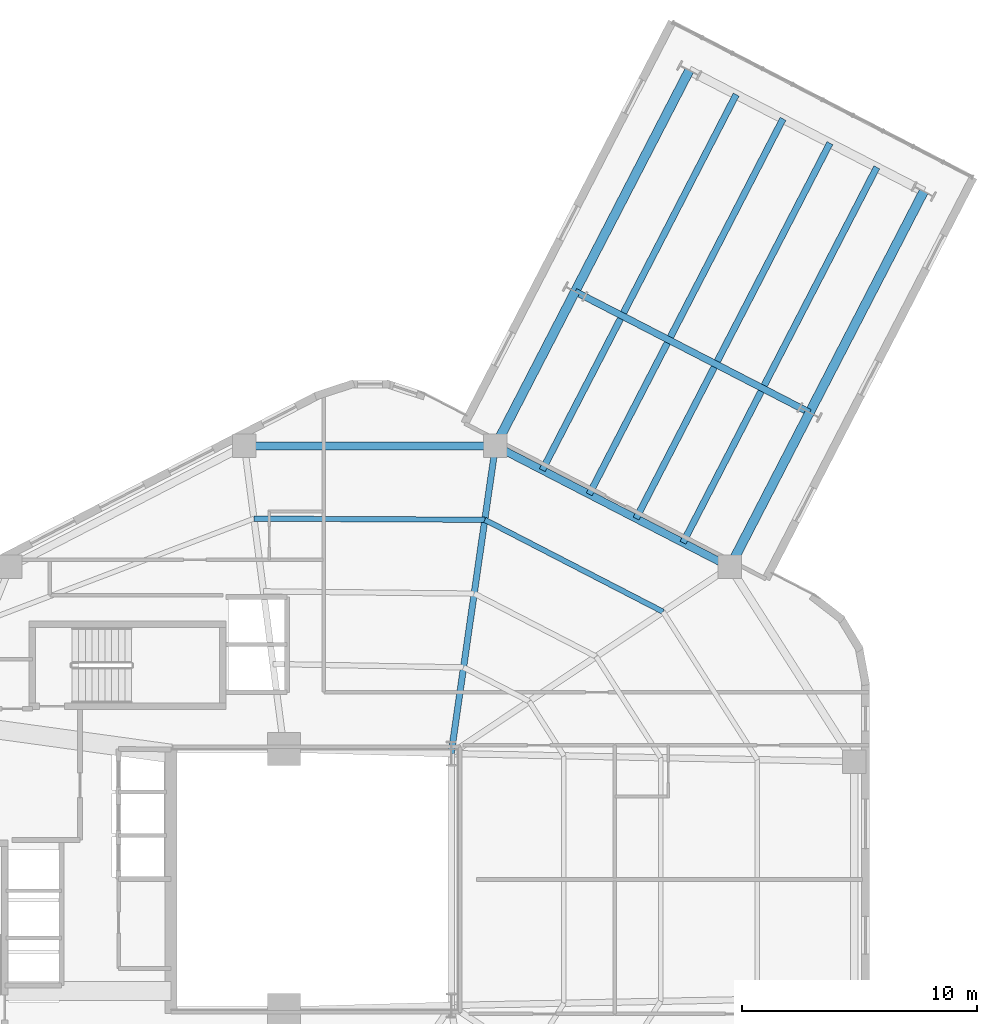
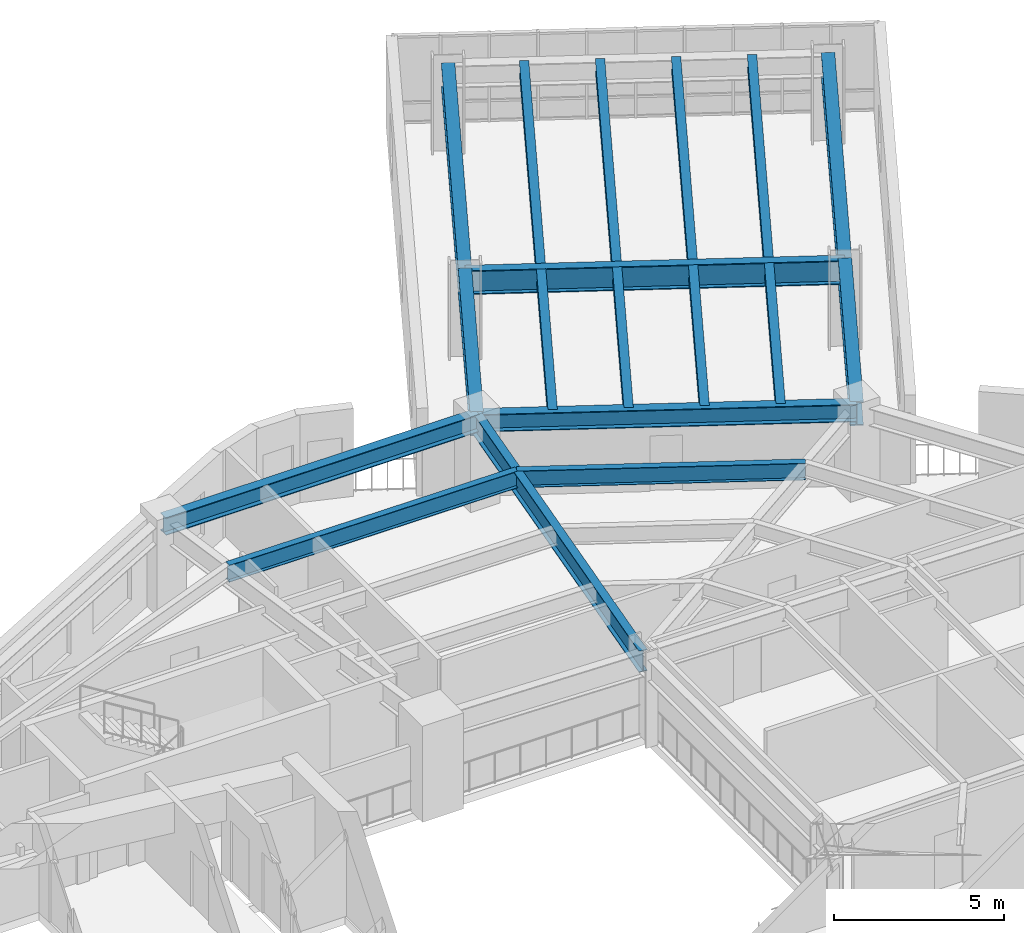
# One storey, part 2 of 10: 18 beams.
"""IFC4 building model written with IfcOpenShell, lengths in metres."""

import ifcopenshell
import ifcopenshell.guid

model = None  # the IFC model being written
_history = None  # IfcOwnerHistory: only IFC2X3 demands one
_inside = {}  # id of a spatial element -> (the spatial element, [elements in it])
_under = {}  # id of a project, library or spatial element -> (it, [spatial elements below it])
_declared = {}  # id of a project -> (the project, [libraries it declares])
_typed = {}  # id of a type object -> (the type object, [elements of that type])
_made_of = {}  # id of a material, layer set ... -> (it, [elements and type objects made of it])


def new_model(schema):
    """Start an empty IFC model of exactly this schema.

    Asked for "IFC4X3", IfcOpenShell would pick the latest addendum, in which some entities
    have other attributes; the version numbers below select the first issue.
    IFC2X3 requires an IfcOwnerHistory on every rooted entity: one is made here for all.
    """
    global model, _history
    if schema == "IFC4X3":
        model = ifcopenshell.file(schema_version=(4, 3, 0, 0))
    else:
        model = ifcopenshell.file(schema=schema)
    _inside.clear()
    _under.clear()
    _declared.clear()
    _typed.clear()
    _made_of.clear()
    _history = None
    if model.schema == "IFC2X3":
        org = make("IfcOrganization", Name="unknown")
        user = make(
            "IfcPersonAndOrganization",
            ThePerson=make("IfcPerson", FamilyName="unknown"),
            TheOrganization=org,
        )
        app = make(
            "IfcApplication",
            ApplicationDeveloper=org,
            Version="unknown",
            ApplicationFullName="unknown",
            ApplicationIdentifier="unknown",
        )
        _history = make(
            "IfcOwnerHistory",
            OwningUser=user,
            OwningApplication=app,
            ChangeAction="ADDED",
            CreationDate=0,
        )
    return model


def make(cls, **values):
    """One entity of the class cls with the attributes given. An attribute that is None is left unset."""
    return model.create_entity(
        cls, **{name: value for name, value in values.items() if value is not None}
    )


def rooted(cls, **values):
    """An entity with a GlobalId (a new one), such as an element, a storey or a relation."""
    return make(cls, GlobalId=ifcopenshell.guid.new(), OwnerHistory=_history, **values)


def si_unit(unit_type, name, prefix=None):
    """IfcSIUnit, for example si_unit("LENGTHUNIT", "METRE", prefix="MILLI")."""
    return make("IfcSIUnit", UnitType=unit_type, Prefix=prefix, Name=name)


def assignment(units):
    """IfcUnitAssignment: the units of a project."""
    return None if units is None else make("IfcUnitAssignment", Units=units)


def point(xyz):
    """IfcCartesianPoint."""
    return None if xyz is None else make("IfcCartesianPoint", Coordinates=xyz)


def direction(xyz):
    """IfcDirection."""
    return None if xyz is None else make("IfcDirection", DirectionRatios=xyz)


def frame(location, z_axis=None, x_axis=None):
    """IfcAxis2Placement3D, a coordinate frame: its origin and axes. An axis left out is left unset."""
    return make(
        "IfcAxis2Placement3D",
        Location=point(location),
        Axis=direction(z_axis),
        RefDirection=direction(x_axis),
    )


def frame_2d(location, x_axis=None):
    """IfcAxis2Placement2D, a coordinate frame in the plane: its origin and x axis."""
    return make(
        "IfcAxis2Placement2D", Location=point(location), RefDirection=direction(x_axis)
    )


def origin():
    """The frame at (0, 0, 0) with its axes left unset."""
    return frame((0.0, 0.0, 0.0))


def origin_2d():
    """The frame at (0, 0) in the plane with its x axis left unset."""
    return frame_2d((0.0, 0.0))


def place(relative_to, where):
    """IfcLocalPlacement: puts the frame where relative to a parent placement (None: the world)."""
    return make(
        "IfcLocalPlacement", PlacementRelTo=relative_to, RelativePlacement=where
    )


def context(
    kind, dimensions, precision=None, world=None, true_north=None, identifier=None
):
    """IfcGeometricRepresentationContext, for example the 3D "Model" context."""
    return make(
        "IfcGeometricRepresentationContext",
        ContextIdentifier=identifier,
        ContextType=kind,
        CoordinateSpaceDimension=dimensions,
        Precision=precision,
        WorldCoordinateSystem=world,
        TrueNorth=true_north,
    )


def subcontext(parent, identifier, kind, view, scale=None):
    """IfcGeometricRepresentationSubContext, for example "Body" below "Model"."""
    return make(
        "IfcGeometricRepresentationSubContext",
        ContextIdentifier=identifier,
        ContextType=kind,
        ParentContext=parent,
        TargetScale=scale,
        TargetView=view,
    )


def project(units=None, contexts=None):
    """IfcProject with its units and contexts."""
    return rooted(
        "IfcProject",
        Name="project",
        RepresentationContexts=contexts,
        UnitsInContext=assignment(units),
    )


def spatial(cls, under=None, at=None, **own):
    """A site, building, storey or space (cls), placed at a placement, below another one or the project."""
    s = rooted(cls, ObjectPlacement=at, **own)
    if under is not None:
        _under.setdefault(under.id(), (under, []))[1].append(s)
    return s


def profile(cls, at=None, kind="AREA", **sizes):
    """A parametric profile (cls). Its sizes go by their IFC names, for example OverallWidth=200.0."""
    return make(cls, ProfileType=kind, Position=at, **sizes)


def i_section(**sizes):
    """IfcIShapeProfileDef."""
    return profile("IfcIShapeProfileDef", **sizes)


def extrude(swept, where, along, depth):
    """IfcExtrudedAreaSolid: the profile swept, set in the frame where, extruded along a direction by depth."""
    return make(
        "IfcExtrudedAreaSolid",
        SweptArea=swept,
        Position=where,
        ExtrudedDirection=direction(along),
        Depth=depth,
    )


def shape(context_of_items, identifier, shape_type, items):
    """IfcShapeRepresentation: the items that make up one representation, for example the "Body"."""
    return make(
        "IfcShapeRepresentation",
        ContextOfItems=context_of_items,
        RepresentationIdentifier=identifier,
        RepresentationType=shape_type,
        Items=items,
    )


def material(Name=None, Category=None):
    """IfcMaterial."""
    return make("IfcMaterial", Name=Name, Category=Category)


def material_profile(
    of_material, cross_section, Name=None, Category=None, Priority=None
):
    """IfcMaterialProfile: a cross section and its material."""
    return make(
        "IfcMaterialProfile",
        Name=Name,
        Material=of_material,
        Profile=cross_section,
        Priority=Priority,
        Category=Category,
    )


def profile_set(profiles, Name=None, composite=None):
    """IfcMaterialProfileSet."""
    return make(
        "IfcMaterialProfileSet",
        Name=Name,
        MaterialProfiles=profiles,
        CompositeProfile=composite,
    )


def made_of(thing, what):
    """Note that an element or type object is made of a material, layer set ...; save() writes the relation."""
    if what is not None:
        _made_of.setdefault(what.id(), (what, []))[1].append(thing)
    return thing


def type_object(cls, material=None, **own):
    """A type object (cls), such as IfcWallType, which elements share."""
    return made_of(rooted(cls, **own), material)


def element(
    cls,
    number,
    at=None,
    inside=None,
    cuts=None,
    type_object=None,
    material=None,
    context=None,
    identifier="Body",
    shape_type=None,
    held_by="IfcProductDefinitionShape",
    body=None,
    shapes=None,
    **own,
):
    """One element of the class cls, such as IfcWall. Its Tag is "e" and its number.

    at: its placement. inside: the storey or other place that contains it. cuts: it is an
    opening in that element (IfcRelVoidsElement). A single representation is given by context,
    identifier, shape_type and body (its items); several are given by shapes. held_by: the class
    of the entity that holds the representations. save() writes the other relations.
    """
    e = rooted(cls, Tag="e%d" % number, ObjectPlacement=at, **own)
    if body is not None:
        shapes = [shape(context, identifier, shape_type, body)]
    if shapes is not None:
        e.Representation = make(held_by, Representations=shapes)
    if inside is not None:
        _inside.setdefault(inside.id(), (inside, []))[1].append(e)
    if cuts is not None:
        rooted(
            "IfcRelVoidsElement", RelatingBuildingElement=cuts, RelatedOpeningElement=e
        )
    if type_object is not None:
        _typed.setdefault(type_object.id(), (type_object, []))[1].append(e)
    return made_of(e, material)


def aggregate(whole, parts):
    """IfcRelAggregates: a whole, such as a stair, and the parts it consists of."""
    return rooted("IfcRelAggregates", RelatingObject=whole, RelatedObjects=parts)


def save(model, path):
    """Write the relations noted so far, then the file.

    IfcRelAggregates (storeys below a building ...), IfcRelContainedInSpatialStructure (elements
    in a storey), IfcRelDefinesByType, IfcRelAssociatesMaterial and IfcRelDeclares: one each for
    every whole, place, type object, material and project.
    """
    for whole, parts in _under.values():
        aggregate(whole, parts)
    for where, things in _inside.values():
        rooted(
            "IfcRelContainedInSpatialStructure",
            RelatedElements=things,
            RelatingStructure=where,
        )
    for kind, things in _typed.values():
        rooted("IfcRelDefinesByType", RelatedObjects=things, RelatingType=kind)
    for what, things in _made_of.values():
        rooted("IfcRelAssociatesMaterial", RelatedObjects=things, RelatingMaterial=what)
    for by, libraries in _declared.values():
        rooted("IfcRelDeclares", RelatingContext=by, RelatedDefinitions=libraries)
    model.write(path)


model = new_model("IFC4")

# Units and contexts
model_context = context("Model", 3, precision=1e-05, world=origin(), true_north=direction((0.0, 1.0)))
body_context = subcontext(model_context, "Body", "Model", "MODEL_VIEW")
ifc_project = project(units=[si_unit("LENGTHUNIT", "METRE"), si_unit("AREAUNIT", "SQUARE_METRE"), si_unit("VOLUMEUNIT", "CUBIC_METRE"), si_unit("PLANEANGLEUNIT", "RADIAN"), si_unit("MASSUNIT", "GRAM", prefix="KILO"), si_unit("THERMODYNAMICTEMPERATUREUNIT", "KELVIN"), si_unit("POWERUNIT", "WATT")], contexts=[model_context])

# Site, building, storey
site_placement = place(None, origin())
site = spatial("IfcSite", under=ifc_project, at=site_placement, CompositionType="ELEMENT")
building_placement = place(site_placement, origin())
building = spatial("IfcBuilding", under=site, at=building_placement, Name="Skarre Station Tower", CompositionType="ELEMENT")
storey_placement = place(building_placement, frame((0.0, 0.0, 115.35009765625)))
storey = spatial("IfcBuildingStorey", under=building, at=storey_placement, Name="L30", CompositionType="ELEMENT", Elevation=115.35009765625)

# Beams
ifc_material = material(Name="Steel ASTM A992 Grade 50", Category="steel")
ifc_material_profile_1 = material_profile(ifc_material, i_section(OverallWidth=0.26806640625, OverallDepth=0.77001953125, WebThickness=0.01611328125, FlangeThickness=0.02490234375, at=origin_2d()), Name="Steel ASTM A992 Grade 50")
ifc_profile_set_1 = profile_set([ifc_material_profile_1], Name="Steel ASTM A992 Grade 50")
beam_type_1 = type_object("IfcBeamType", Name="Steel Beam W30X132", PredefinedType="BEAM", material=ifc_profile_set_1)
beam_1_placement = place(storey_placement, frame((39.449951171875, 29.35009765625, 2.77490234375), z_axis=(0.142480121776, 0.989797663616, 0.0), x_axis=(-0.989797663616, 0.142480121776, 0.0)))
element("IfcBeam", 1, at=beam_1_placement, inside=storey, type_object=beam_type_1, Name="L30 Radial Floor Girder F0C2", PredefinedType="BEAM", context=body_context, shape_type="SweptSolid", body=[
    extrude(i_section(OverallWidth=0.26806640625, OverallDepth=0.77001953125, WebThickness=0.01611328125, FlangeThickness=0.02490234375, at=origin_2d()), origin(), (0.0, 0.0, 1.0), 13.20263671875),
])
ifc_material_profile_2 = material_profile(ifc_material, i_section(OverallWidth=0.2919921875, OverallDepth=0.85888671875, WebThickness=0.01708984375, FlangeThickness=0.031005859375, at=origin_2d()), Name="Steel ASTM A992 Grade 50")
ifc_profile_set_2 = profile_set([ifc_material_profile_2], Name="Steel ASTM A992 Grade 50")
beam_type_2 = type_object("IfcBeamType", Name="Steel Beam W33X169", PredefinedType="BEAM", material=ifc_profile_set_2)
beam_2_placement = place(storey_placement, frame((54.676025390625, 43.8349609375, 2.73095703125), z_axis=(-0.888602901775, 0.458677318991, 0.0), x_axis=(-0.458677318991, -0.888602901775, 0.0)))
element("IfcBeam", 2, at=beam_2_placement, inside=storey, type_object=beam_type_2, Name="L30 SB-2 Mid Transverse Girder", PredefinedType="BEAM", context=body_context, shape_type="SweptSolid", body=[
    extrude(i_section(OverallWidth=0.2919921875, OverallDepth=0.85888671875, WebThickness=0.01708984375, FlangeThickness=0.031005859375, at=origin_2d()), origin(), (0.0, 0.0, 1.0), 11.20849609375),
])
ifc_material_profile_3 = material_profile(ifc_material, i_section(OverallWidth=0.40087890625, OverallDepth=0.876953125, WebThickness=0.02197265625, FlangeThickness=0.0400390625, at=origin_2d()), Name="Steel ASTM A992 Grade 50")
ifc_profile_set_3 = profile_set([ifc_material_profile_3], Name="Steel ASTM A992 Grade 50")
beam_type_3 = type_object("IfcBeamType", Name="Steel Beam W33X263", PredefinedType="BEAM", material=ifc_profile_set_3)
beam_3_placement = place(storey_placement, frame((51.291015625, 37.277099609375, 2.721923828125), z_axis=(0.45867578355, 0.888603694334, 0.0), x_axis=(-0.888603694334, 0.45867578355, 0.0)))
element("IfcBeam", 3, at=beam_3_placement, inside=storey, type_object=beam_type_3, Name="L30 SB-2 Side 1 Inner Girder", PredefinedType="BEAM", context=body_context, shape_type="SweptSolid", body=[
    extrude(i_section(OverallWidth=0.40087890625, OverallDepth=0.876953125, WebThickness=0.02197265625, FlangeThickness=0.0400390625, at=origin_2d()), origin(), (0.0, 0.0, 1.0), 7.3798828125),
])
beam_4_placement = place(storey_placement, frame((54.676025390625, 43.8349609375, 2.721923828125), z_axis=(0.458670573437, 0.88860638365, 0.0), x_axis=(-0.88860638365, 0.458670573437, 0.0)))
element("IfcBeam", 4, at=beam_4_placement, inside=storey, type_object=beam_type_3, Name="L30 SB-2 Side 1 Outer Girder", PredefinedType="BEAM", context=body_context, shape_type="SweptSolid", body=[
    extrude(i_section(OverallWidth=0.40087890625, OverallDepth=0.876953125, WebThickness=0.02197265625, FlangeThickness=0.0400390625, at=origin_2d()), origin(), (0.0, 0.0, 1.0), 10.569580078125),
])
beam_5_placement = place(storey_placement, frame((41.3310546875, 42.41796875, 2.721923828125), z_axis=(0.45866230048, 0.88861065384, 0.0), x_axis=(-0.88861065384, 0.45866230048, 0.0)))
element("IfcBeam", 5, at=beam_5_placement, inside=storey, type_object=beam_type_3, Name="L30 SB-2 Side 2 Inner Girder", PredefinedType="BEAM", context=body_context, shape_type="SweptSolid", body=[
    extrude(i_section(OverallWidth=0.40087890625, OverallDepth=0.876953125, WebThickness=0.02197265625, FlangeThickness=0.0400390625, at=origin_2d()), origin(), (0.0, 0.0, 1.0), 7.380126953125),
])
beam_6_placement = place(storey_placement, frame((44.716064453125, 48.97607421875, 2.721923828125), z_axis=(0.458679988111, 0.888601524029, 0.0), x_axis=(-0.888601524029, 0.458679988111, 0.0)))
element("IfcBeam", 6, at=beam_6_placement, inside=storey, type_object=beam_type_3, Name="L30 SB-2 Side 2 Outer Girder", PredefinedType="BEAM", context=body_context, shape_type="SweptSolid", body=[
    extrude(i_section(OverallWidth=0.40087890625, OverallDepth=0.876953125, WebThickness=0.02197265625, FlangeThickness=0.0400390625, at=origin_2d()), origin(), (0.0, 0.0, 1.0), 10.5693359375),
])
ifc_material_profile_4 = material_profile(ifc_material, i_section(OverallWidth=0.280029296875, OverallDepth=0.462890625, WebThickness=0.010986328125, FlangeThickness=0.01708984375, at=origin_2d()), Name="Steel ASTM A992 Grade 50")
ifc_profile_set_4 = profile_set([ifc_material_profile_4], Name="Steel ASTM A992 Grade 50")
beam_type_4 = type_object("IfcBeamType", Name="Steel Joist W18X76", PredefinedType="JOIST", material=ifc_profile_set_4)
beam_7_placement = place(storey_placement, frame((49.299072265625, 38.304931640625, 2.928955078125), z_axis=(0.458648076258, 0.888617995623, 0.0), x_axis=(-0.888617995623, 0.458648076258, 0.0)))
element("IfcBeam", 7, at=beam_7_placement, inside=storey, type_object=beam_type_4, Name="L30 SB-2 Inner Deck Joist 1", PredefinedType="JOIST", context=body_context, shape_type="SweptSolid", body=[
    extrude(i_section(OverallWidth=0.280029296875, OverallDepth=0.462890625, WebThickness=0.010986328125, FlangeThickness=0.01708984375, at=origin_2d()), origin(), (0.0, 0.0, 1.0), 7.236083984375),
])
beam_8_placement = place(storey_placement, frame((52.75, 44.990966796875, 2.928955078125), z_axis=(0.458688850813, 0.888596949207, 0.0), x_axis=(-0.888596949207, 0.458688850813, 0.0)))
element("IfcBeam", 8, at=beam_8_placement, inside=storey, type_object=beam_type_4, Name="L30 SB-2 Outer Deck Joist 1", PredefinedType="JOIST", context=body_context, shape_type="SweptSolid", body=[
    extrude(i_section(OverallWidth=0.280029296875, OverallDepth=0.462890625, WebThickness=0.010986328125, FlangeThickness=0.01708984375, at=origin_2d()), origin(), (0.0, 0.0, 1.0), 10.42529296875),
])
beam_9_placement = place(storey_placement, frame((47.306884765625, 39.3330078125, 2.928955078125), z_axis=(0.458688468876, 0.888597146361, 0.0), x_axis=(-0.888597146361, 0.458688468876, 0.0)))
element("IfcBeam", 9, at=beam_9_placement, inside=storey, type_object=beam_type_4, Name="L30 SB-2 Inner Deck Joist 2", PredefinedType="JOIST", context=body_context, shape_type="SweptSolid", body=[
    extrude(i_section(OverallWidth=0.280029296875, OverallDepth=0.462890625, WebThickness=0.010986328125, FlangeThickness=0.01708984375, at=origin_2d()), origin(), (0.0, 0.0, 1.0), 7.236083984375),
])
beam_10_placement = place(storey_placement, frame((50.758056640625, 46.01904296875, 2.928955078125), z_axis=(0.458688850813, 0.888596949207, 0.0), x_axis=(-0.888596949207, 0.458688850813, 0.0)))
element("IfcBeam", 10, at=beam_10_placement, inside=storey, type_object=beam_type_4, Name="L30 SB-2 Outer Deck Joist 2", PredefinedType="JOIST", context=body_context, shape_type="SweptSolid", body=[
    extrude(i_section(OverallWidth=0.280029296875, OverallDepth=0.462890625, WebThickness=0.010986328125, FlangeThickness=0.01708984375, at=origin_2d()), origin(), (0.0, 0.0, 1.0), 10.42529296875),
])
beam_11_placement = place(storey_placement, frame((45.31494140625, 40.362060546875, 2.928955078125), z_axis=(0.458688468876, 0.888597146361, 0.0), x_axis=(-0.888597146361, 0.458688468876, 0.0)))
element("IfcBeam", 11, at=beam_11_placement, inside=storey, type_object=beam_type_4, Name="L30 SB-2 Inner Deck Joist 3", PredefinedType="JOIST", context=body_context, shape_type="SweptSolid", body=[
    extrude(i_section(OverallWidth=0.280029296875, OverallDepth=0.462890625, WebThickness=0.010986328125, FlangeThickness=0.01708984375, at=origin_2d()), origin(), (0.0, 0.0, 1.0), 7.236083984375),
])
beam_12_placement = place(storey_placement, frame((48.76611328125, 47.048095703125, 2.928955078125), z_axis=(0.458688850813, 0.888596949207, 0.0), x_axis=(-0.888596949207, 0.458688850813, 0.0)))
element("IfcBeam", 12, at=beam_12_placement, inside=storey, type_object=beam_type_4, Name="L30 SB-2 Outer Deck Joist 3", PredefinedType="JOIST", context=body_context, shape_type="SweptSolid", body=[
    extrude(i_section(OverallWidth=0.280029296875, OverallDepth=0.462890625, WebThickness=0.010986328125, FlangeThickness=0.01708984375, at=origin_2d()), origin(), (0.0, 0.0, 1.0), 10.42529296875),
])
beam_13_placement = place(storey_placement, frame((43.322998046875, 41.389892578125, 2.928955078125), z_axis=(0.458674717376, 0.888604244667, 0.0), x_axis=(-0.888604244667, 0.458674717376, 0.0)))
element("IfcBeam", 13, at=beam_13_placement, inside=storey, type_object=beam_type_4, Name="L30 SB-2 Inner Deck Joist 4", PredefinedType="JOIST", context=body_context, shape_type="SweptSolid", body=[
    extrude(i_section(OverallWidth=0.280029296875, OverallDepth=0.462890625, WebThickness=0.010986328125, FlangeThickness=0.01708984375, at=origin_2d()), origin(), (0.0, 0.0, 1.0), 7.236328125),
])
beam_14_placement = place(storey_placement, frame((46.77392578125, 48.075927734375, 2.928955078125), z_axis=(0.458679306044, 0.888601876099, 0.0), x_axis=(-0.888601876099, 0.458679306044, 0.0)))
element("IfcBeam", 14, at=beam_14_placement, inside=storey, type_object=beam_type_4, Name="L30 SB-2 Outer Deck Joist 4", PredefinedType="JOIST", context=body_context, shape_type="SweptSolid", body=[
    extrude(i_section(OverallWidth=0.280029296875, OverallDepth=0.462890625, WebThickness=0.010986328125, FlangeThickness=0.01708984375, at=origin_2d()), origin(), (0.0, 0.0, 1.0), 10.425537109375),
])
ifc_material_profile_5 = material_profile(ifc_material, i_section(OverallWidth=0.22802734375, OverallDepth=0.60791015625, WebThickness=0.010986328125, FlangeThickness=0.01708984375, at=origin_2d()), Name="Steel ASTM A992 Grade 50")
ifc_profile_set_5 = profile_set([ifc_material_profile_5], Name="Steel ASTM A992 Grade 50")
beam_type_5 = type_object("IfcBeamType", Name="Steel Joist W24X76", PredefinedType="JOIST", material=ifc_profile_set_5)
beam_15_placement = place(storey_placement, frame((48.448974609375, 35.375, 2.85595703125), z_axis=(-0.888603699553, 0.45867577344, 0.0), x_axis=(-0.45867577344, -0.888603699553, 0.0)))
element("IfcBeam", 15, at=beam_15_placement, inside=storey, type_object=beam_type_5, Name="L30 Secondary Floor Joist 3", PredefinedType="JOIST", context=body_context, shape_type="SweptSolid", body=[
    extrude(i_section(OverallWidth=0.22802734375, OverallDepth=0.60791015625, WebThickness=0.010986328125, FlangeThickness=0.01708984375, at=origin_2d()), origin(), (0.0, 0.0, 1.0), 8.51806640625),
])
beam_16_placement = place(storey_placement, frame((40.8798828125, 39.281982421875, 2.85595703125), z_axis=(-0.999987976633, 0.004903732143, 0.0), x_axis=(-0.004903732143, -0.999987976633, 0.0)))
element("IfcBeam", 16, at=beam_16_placement, inside=storey, type_object=beam_type_5, Name="L30 Secondary Floor Joist 6", PredefinedType="JOIST", context=body_context, shape_type="SweptSolid", body=[
    extrude(i_section(OverallWidth=0.22802734375, OverallDepth=0.60791015625, WebThickness=0.010986328125, FlangeThickness=0.01708984375, at=origin_2d()), origin(), (0.0, 0.0, 1.0), 9.807861328125),
])
ifc_material_profile_6 = material_profile(ifc_material, i_section(OverallWidth=0.327880859375, OverallDepth=0.6279296875, WebThickness=0.01708984375, FlangeThickness=0.028076171875, at=origin_2d()), Name="Steel ASTM A992 Grade 50")
ifc_profile_set_6 = profile_set([ifc_material_profile_6], Name="Steel ASTM A992 Grade 50")
beam_type_6 = type_object("IfcBeamType", Name="Steel Spandrel W24X146", PredefinedType="SPANDREL", material=ifc_profile_set_6)
beam_17_placement = place(storey_placement, frame((51.291015625, 37.277099609375, 2.845947265625), z_axis=(-0.888611779493, 0.458660119639, 0.0), x_axis=(-0.458660119639, -0.888611779493, 0.0)))
element("IfcBeam", 17, at=beam_17_placement, inside=storey, type_object=beam_type_6, Name="L30 Facet Spandrel Beam 1", PredefinedType="SPANDREL", context=body_context, shape_type="SweptSolid", body=[
    extrude(i_section(OverallWidth=0.327880859375, OverallDepth=0.6279296875, WebThickness=0.01708984375, FlangeThickness=0.028076171875, at=origin_2d()), origin(), (0.0, 0.0, 1.0), 11.20849609375),
])
beam_18_placement = place(storey_placement, frame((41.3310546875, 42.41796875, 2.845947265625), z_axis=(-1.0, 0.0, 0.0), x_axis=(0.0, -1.0, 0.0)))
element("IfcBeam", 18, at=beam_18_placement, inside=storey, type_object=beam_type_6, Name="L30 Facet Spandrel Beam 2", PredefinedType="SPANDREL", context=body_context, shape_type="SweptSolid", body=[
    extrude(i_section(OverallWidth=0.327880859375, OverallDepth=0.6279296875, WebThickness=0.01708984375, FlangeThickness=0.028076171875, at=origin_2d()), origin(), (0.0, 0.0, 1.0), 10.662109375),
])

save(model, "model.ifc")
